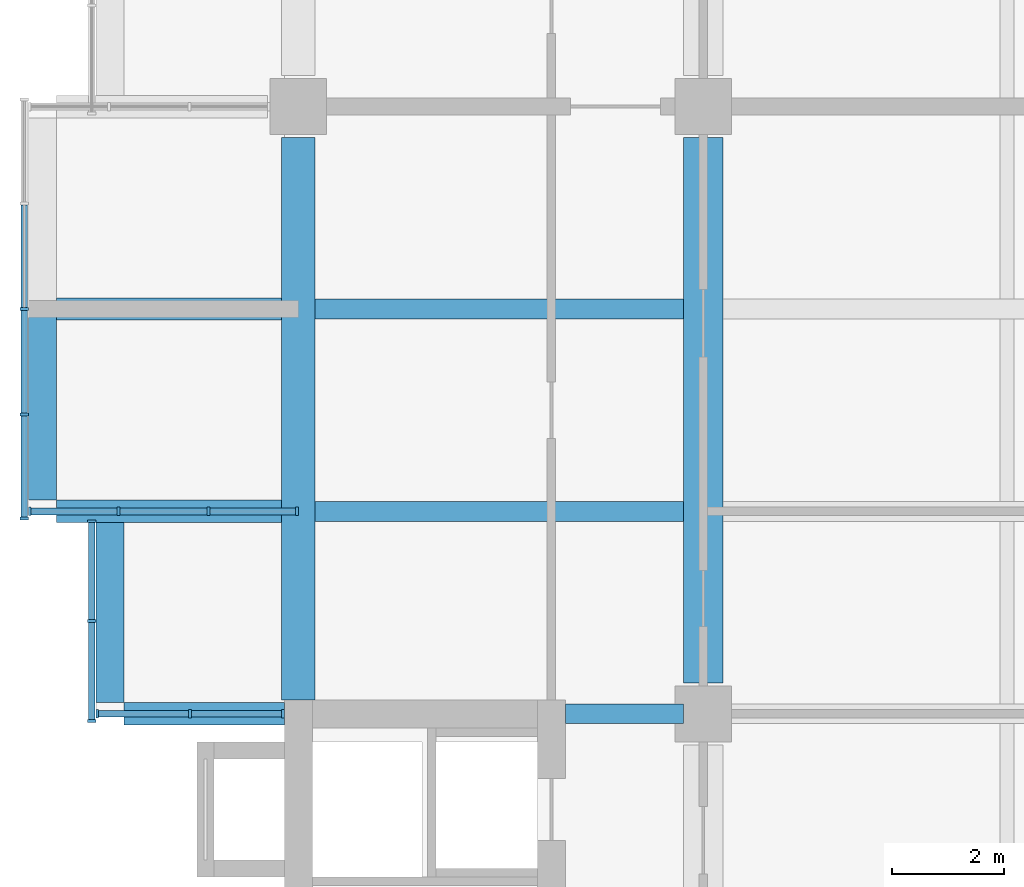
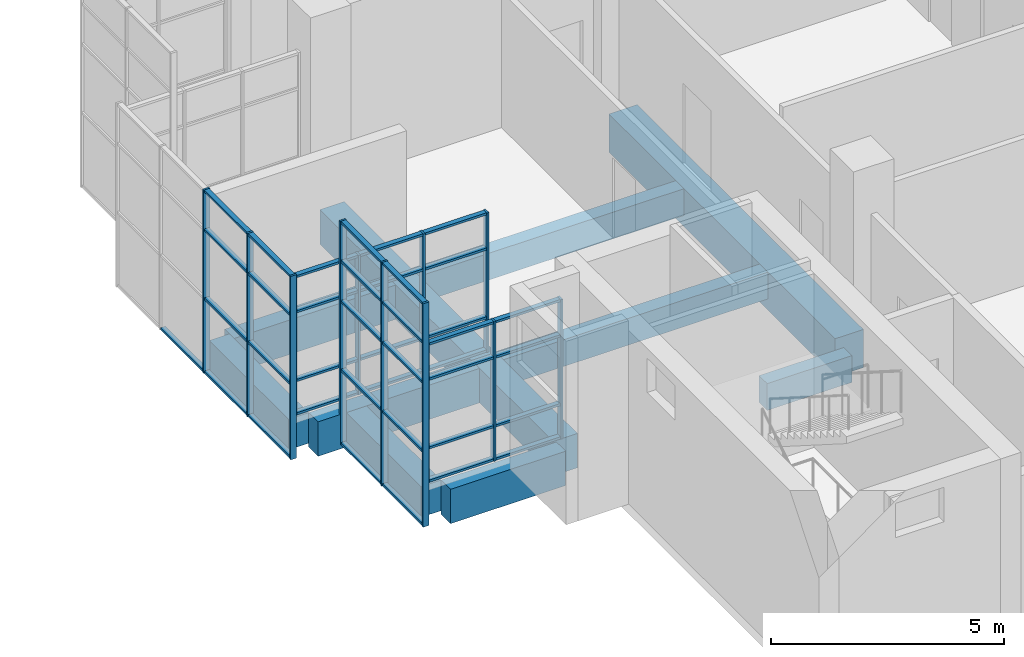
# One storey, part 3 of 45: 52 members, 10 beams, 4 elements without a shape of their own.
"""IFC4 building model written with IfcOpenShell, lengths in metres."""

from ifc_helpers import new_model, si_unit, direction, frame, origin, origin_2d, place, context, subcontext, project, spatial, rectangle, extrude, material, layer, layer_set, material_profile, profile_set, type_object, element, aggregate, save


model = new_model("IFC4")

# Units and contexts
model_context = context("Model", 3, precision=1e-05, world=origin(), true_north=direction((0.0, 1.0)))
body_context = subcontext(model_context, "Body", "Model", "MODEL_VIEW")
ifc_project = project(units=[si_unit("LENGTHUNIT", "METRE"), si_unit("AREAUNIT", "SQUARE_METRE"), si_unit("VOLUMEUNIT", "CUBIC_METRE"), si_unit("PLANEANGLEUNIT", "RADIAN"), si_unit("MASSUNIT", "GRAM", prefix="KILO")], contexts=[model_context])

# Site, building, storey
site_placement = place(None, origin())
site = spatial("IfcSite", under=ifc_project, at=site_placement, CompositionType="ELEMENT")
building_placement = place(site_placement, origin())
building = spatial("IfcBuilding", under=site, at=building_placement, Name="Basin Gate Institute", CompositionType="ELEMENT")
storey_placement = place(building_placement, frame((0.0, 0.0, 22.199951171875)))
storey = spatial("IfcBuildingStorey", under=building, at=storey_placement, Name="L04", CompositionType="ELEMENT", Elevation=22.199951171875)

# Beams
ifc_material_1 = material(Name="Concrete 40 MPa", Category="concrete")
ifc_material_profile_1 = material_profile(ifc_material_1, rectangle(XDim=0.35009765625, YDim=0.699951171875, at=origin_2d()), Name="Beam B1 350 x 700")
ifc_profile_set_1 = profile_set([ifc_material_profile_1], Name="Concrete 40 MPa")
beam_type_1 = type_object("IfcBeamType", Name="Beam B1 R120", PredefinedType="BEAM", material=ifc_profile_set_1)
beam_1_placement = place(storey_placement, frame((65.949951171875, 45.89990234375, -0.599853515625), z_axis=(1.0, 0.0, 0.0), x_axis=(0.0, 1.0, 0.0)))
element("IfcBeam", 1, at=beam_1_placement, inside=storey, type_object=beam_type_1, material=ifc_profile_set_1, Name="BEAM/L04/W/CORR/04", PredefinedType="BEAM", context=body_context, shape_type="SweptSolid", body=[
    extrude(rectangle(XDim=0.35009765625, YDim=0.699951171875, at=origin_2d()), origin(), (0.0, 0.0, 1.0), 2.10009765625),
])
for number, where, z_axis, x_axis, name in (
    (2, (61.5, 49.5, -0.599853515625), (1.0, 0.0, 0.0), (0.0, 1.0, 0.0), "BEAM/L04/W/OUT/05"),
    (3, (61.5, 53.10009765625, -0.599853515625), (1.0, 0.0, 0.0), (0.0, 1.0, 0.0), "BEAM/L04/W/OUT/06"),
):
    element("IfcBeam", number, at=place(storey_placement, frame(where, z_axis=z_axis, x_axis=x_axis)), inside=storey, type_object=beam_type_1, material=ifc_profile_set_1, Name=name, PredefinedType="BEAM", context=body_context, shape_type="SweptSolid", body=[
        extrude(rectangle(XDim=0.35009765625, YDim=0.699951171875, at=origin_2d()), origin(), (0.0, 0.0, 1.0), 6.550048828125),
    ])
ifc_material_2 = material(Name="Concrete 50 MPa", Category="concrete")
ifc_material_profile_2 = material_profile(ifc_material_2, rectangle(XDim=0.39990234375, YDim=0.89990234375, at=origin_2d()), Name="Cantilever beam B3 400 x 900")
ifc_profile_set_2 = profile_set([ifc_material_profile_2], Name="Concrete 50 MPa")
beam_type_2 = type_object("IfcBeamType", Name="Cantilever beam B3 R120", PredefinedType="BEAM", material=ifc_profile_set_2)
beam_2_placement = place(storey_placement, frame((58.10009765625, 45.89990234375, -0.699951171875), z_axis=(1.0, 0.0, 0.0), x_axis=(0.0, 1.0, 0.0)))
element("IfcBeam", 4, at=beam_2_placement, inside=storey, type_object=beam_type_2, material=ifc_profile_set_2, Name="BEAM/L04/W/CANT/04", PredefinedType="BEAM", context=body_context, shape_type="SweptSolid", body=[
    extrude(rectangle(XDim=0.39990234375, YDim=0.89990234375, at=origin_2d()), origin(), (0.0, 0.0, 1.0), 2.849853515625),
])
for number, where, z_axis, x_axis, name in (
    (5, (56.89990234375, 49.5, -0.699951171875), (1.0, 0.0, 0.0), (0.0, 1.0, 0.0), "BEAM/L04/W/CANT/05"),
    (6, (56.89990234375, 53.10009765625, -0.699951171875), (1.0, 0.0, 0.0), (0.0, 1.0, 0.0), "BEAM/L04/W/CANT/06"),
):
    element("IfcBeam", number, at=place(storey_placement, frame(where, z_axis=z_axis, x_axis=x_axis)), inside=storey, type_object=beam_type_2, material=ifc_profile_set_2, Name=name, PredefinedType="BEAM", context=body_context, shape_type="SweptSolid", body=[
        extrude(rectangle(XDim=0.39990234375, YDim=0.89990234375, at=origin_2d()), origin(), (0.0, 0.0, 1.0), 4.0),
    ])
ifc_material_3 = material(Name="Concrete 50 MPa", Category="concrete")
ifc_material_profile_3 = material_profile(ifc_material_3, rectangle(XDim=0.60009765625, YDim=0.89990234375, at=origin_2d()), Name="Edge beam EB1 600 x 900")
ifc_profile_set_3 = profile_set([ifc_material_profile_3], Name="Concrete 50 MPa")
beam_type_3 = type_object("IfcBeamType", Name="Edge beam EB1 R120", PredefinedType="SPANDREL", material=ifc_profile_set_3)
beam_3_placement = place(storey_placement, frame((61.199951171875, 46.14990234375, -0.699951171875), z_axis=(0.0, 1.0, 0.0), x_axis=(-1.0, 0.0, 0.0)))
element("IfcBeam", 7, at=beam_3_placement, inside=storey, type_object=beam_type_3, material=ifc_profile_set_3, Name="BEAM/L04/W/EDGE/1", PredefinedType="SPANDREL", context=body_context, shape_type="SweptSolid", body=[
    extrude(rectangle(XDim=0.60009765625, YDim=0.89990234375, at=origin_2d()), origin(), (0.0, 0.0, 1.0), 10.0),
])
ifc_material_4 = material(Name="Concrete 50 MPa", Category="concrete")
ifc_material_profile_4 = material_profile(ifc_material_4, rectangle(XDim=0.699951171875, YDim=1.0, at=origin_2d()), Name="Girder G1 700 x 1000")
ifc_profile_set_4 = profile_set([ifc_material_profile_4], Name="Concrete 50 MPa")
beam_type_4 = type_object("IfcBeamType", Name="Girder G1 R120", PredefinedType="BEAM", material=ifc_profile_set_4)
beam_4_placement = place(storey_placement, frame((68.39990234375, 46.449951171875, -0.75), z_axis=(0.0, 1.0, 0.0), x_axis=(-1.0, 0.0, 0.0)))
element("IfcBeam", 8, at=beam_4_placement, inside=storey, type_object=beam_type_4, material=ifc_profile_set_4, Name="GIR/L04/W5/2", PredefinedType="BEAM", context=body_context, shape_type="SweptSolid", body=[
    extrude(rectangle(XDim=0.699951171875, YDim=1.0, at=origin_2d()), origin(), (0.0, 0.0, 1.0), 9.699951171875),
])

# Curtain wall, members
ifc_material_5 = material(Name="Aluminium-framed glazing", Category="aluminium")
ifc_layer = layer(ifc_material_5, 0.14990234375)
ifc_layer_set = layer_set([ifc_layer], Name="Capsule front curtain wall CW1")
curtain_wall_type = type_object("IfcCurtainWallType", Name="Capsule front curtain wall CW1", PredefinedType="NOTDEFINED", material=ifc_layer_set)
curtain_wall_1_placement = place(storey_placement, origin())
curtain_wall_1 = element("IfcCurtainWall", 9, at=curtain_wall_1_placement, inside=storey, type_object=curtain_wall_type, material=ifc_layer_set, Name="Capsule front curtain wall W wing capsule end L04 line 4", PredefinedType="NOTDEFINED")
ifc_material_6 = material(Name="Aluminium", Category="aluminium")
ifc_material_profile_5 = material_profile(ifc_material_6, rectangle(XDim=0.14990234375, YDim=0.050048828125, at=origin_2d()), Name="Mullion MU1 150 x 50")
ifc_profile_set_5 = profile_set([ifc_material_profile_5], Name="Aluminium")
member_type_1 = type_object("IfcMemberType", Name="Mullion MU1", PredefinedType="MULLION", material=ifc_profile_set_5)
member_1_placement = place(storey_placement, frame((57.625, 45.89990234375, 0.0), z_axis=(0.0, 0.0, 1.0), x_axis=(0.0, 1.0, 0.0)))
member_1 = element("IfcMember", 10, at=member_1_placement, type_object=member_type_1, material=ifc_profile_set_5, Name="CW1 mullion 1", PredefinedType="MULLION", context=body_context, shape_type="SweptSolid", body=[
    extrude(rectangle(XDim=0.14990234375, YDim=0.050048828125, at=origin_2d()), origin(), (0.0, 0.0, 1.0), 3.650146484375),
])
member_2_placement = place(storey_placement, frame((59.27490234375, 45.89990234375, 0.0), z_axis=(0.0, 0.0, 1.0), x_axis=(0.0, 1.0, 0.0)))
member_2 = element("IfcMember", 11, at=member_2_placement, type_object=member_type_1, material=ifc_profile_set_5, Name="CW1 mullion 2", PredefinedType="MULLION", context=body_context, shape_type="SweptSolid", body=[
    extrude(rectangle(XDim=0.14990234375, YDim=0.050048828125, at=origin_2d()), origin(), (0.0, 0.0, 1.0), 3.650146484375),
])
member_3_placement = place(storey_placement, frame((60.925048828125, 45.89990234375, 0.0), z_axis=(0.0, 0.0, 1.0), x_axis=(0.0, 1.0, 0.0)))
member_3 = element("IfcMember", 12, at=member_3_placement, type_object=member_type_1, material=ifc_profile_set_5, Name="CW1 mullion 3", PredefinedType="MULLION", context=body_context, shape_type="SweptSolid", body=[
    extrude(rectangle(XDim=0.14990234375, YDim=0.050048828125, at=origin_2d()), origin(), (0.0, 0.0, 1.0), 3.650146484375),
])

curtain_wall_2_placement = place(storey_placement, origin())
curtain_wall_2 = element("IfcCurtainWall", 13, at=curtain_wall_2_placement, inside=storey, type_object=curtain_wall_type, material=ifc_layer_set, Name="Capsule front curtain wall W wing capsule end L04 line 5", PredefinedType="NOTDEFINED")
member_4_placement = place(storey_placement, frame((56.425048828125, 49.5, 0.0), z_axis=(0.0, 0.0, 1.0), x_axis=(0.0, 1.0, 0.0)))
member_4 = element("IfcMember", 14, at=member_4_placement, type_object=member_type_1, material=ifc_profile_set_5, Name="CW1 mullion 1", PredefinedType="MULLION", context=body_context, shape_type="SweptSolid", body=[
    extrude(rectangle(XDim=0.14990234375, YDim=0.050048828125, at=origin_2d()), origin(), (0.0, 0.0, 1.0), 3.650146484375),
])
member_5_placement = place(storey_placement, frame((58.0, 49.5, 0.0), z_axis=(0.0, 0.0, 1.0), x_axis=(0.0, 1.0, 0.0)))
member_5 = element("IfcMember", 15, at=member_5_placement, type_object=member_type_1, material=ifc_profile_set_5, Name="CW1 mullion 2", PredefinedType="MULLION", context=body_context, shape_type="SweptSolid", body=[
    extrude(rectangle(XDim=0.14990234375, YDim=0.050048828125, at=origin_2d()), origin(), (0.0, 0.0, 1.0), 3.650146484375),
])
member_6_placement = place(storey_placement, frame((59.60009765625, 49.5, 0.0), z_axis=(0.0, 0.0, 1.0), x_axis=(0.0, 1.0, 0.0)))
member_6 = element("IfcMember", 16, at=member_6_placement, type_object=member_type_1, material=ifc_profile_set_5, Name="CW1 mullion 3", PredefinedType="MULLION", context=body_context, shape_type="SweptSolid", body=[
    extrude(rectangle(XDim=0.14990234375, YDim=0.050048828125, at=origin_2d()), origin(), (0.0, 0.0, 1.0), 3.650146484375),
])
member_7_placement = place(storey_placement, frame((61.175048828125, 49.5, 0.0), z_axis=(0.0, 0.0, 1.0), x_axis=(0.0, 1.0, 0.0)))
member_7 = element("IfcMember", 17, at=member_7_placement, type_object=member_type_1, material=ifc_profile_set_5, Name="CW1 mullion 4", PredefinedType="MULLION", context=body_context, shape_type="SweptSolid", body=[
    extrude(rectangle(XDim=0.14990234375, YDim=0.050048828125, at=origin_2d()), origin(), (0.0, 0.0, 1.0), 3.650146484375),
])

curtain_wall_3_placement = place(storey_placement, origin())
curtain_wall_3 = element("IfcCurtainWall", 18, at=curtain_wall_3_placement, inside=storey, type_object=curtain_wall_type, material=ifc_layer_set, Name="Capsule front curtain wall W wing capsule 1 L04 front 1", PredefinedType="NOTDEFINED")
member_8_placement = place(storey_placement, frame((57.52490234375, 45.77490234375, -1.050048828125), z_axis=(0.0, 0.0, 1.0), x_axis=(-1.0, 0.0, 0.0)))
member_8 = element("IfcMember", 19, at=member_8_placement, type_object=member_type_1, material=ifc_profile_set_5, Name="CW1 mullion 1", PredefinedType="MULLION", context=body_context, shape_type="SweptSolid", body=[
    extrude(rectangle(XDim=0.14990234375, YDim=0.050048828125, at=origin_2d()), origin(), (0.0, 0.0, 1.0), 5.85009765625),
])
member_9_placement = place(storey_placement, frame((57.52490234375, 47.550048828125, -1.050048828125), z_axis=(0.0, 0.0, 1.0), x_axis=(-1.0, 0.0, 0.0)))
member_9 = element("IfcMember", 20, at=member_9_placement, type_object=member_type_1, material=ifc_profile_set_5, Name="CW1 mullion 2", PredefinedType="MULLION", context=body_context, shape_type="SweptSolid", body=[
    extrude(rectangle(XDim=0.14990234375, YDim=0.050048828125, at=origin_2d()), origin(), (0.0, 0.0, 1.0), 5.85009765625),
])
member_10_placement = place(storey_placement, frame((57.52490234375, 49.324951171875, -1.050048828125), z_axis=(0.0, 0.0, 1.0), x_axis=(-1.0, 0.0, 0.0)))
member_10 = element("IfcMember", 21, at=member_10_placement, type_object=member_type_1, material=ifc_profile_set_5, Name="CW1 mullion 3", PredefinedType="MULLION", context=body_context, shape_type="SweptSolid", body=[
    extrude(rectangle(XDim=0.14990234375, YDim=0.050048828125, at=origin_2d()), origin(), (0.0, 0.0, 1.0), 5.85009765625),
])

curtain_wall_4_placement = place(storey_placement, origin())
curtain_wall_4 = element("IfcCurtainWall", 22, at=curtain_wall_4_placement, inside=storey, type_object=curtain_wall_type, material=ifc_layer_set, Name="Capsule front curtain wall W wing capsule 1 L04 front 2", PredefinedType="NOTDEFINED")
member_11_placement = place(storey_placement, frame((56.324951171875, 49.375, -1.050048828125), z_axis=(0.0, 0.0, 1.0), x_axis=(-1.0, 0.0, 0.0)))
member_11 = element("IfcMember", 23, at=member_11_placement, type_object=member_type_1, material=ifc_profile_set_5, Name="CW1 mullion 1", PredefinedType="MULLION", context=body_context, shape_type="SweptSolid", body=[
    extrude(rectangle(XDim=0.14990234375, YDim=0.050048828125, at=origin_2d()), origin(), (0.0, 0.0, 1.0), 4.800048828125),
])
member_12_placement = place(storey_placement, frame((56.324951171875, 51.22509765625, -1.050048828125), z_axis=(0.0, 0.0, 1.0), x_axis=(-1.0, 0.0, 0.0)))
member_12 = element("IfcMember", 24, at=member_12_placement, type_object=member_type_1, material=ifc_profile_set_5, Name="CW1 mullion 2", PredefinedType="MULLION", context=body_context, shape_type="SweptSolid", body=[
    extrude(rectangle(XDim=0.14990234375, YDim=0.050048828125, at=origin_2d()), origin(), (0.0, 0.0, 1.0), 4.800048828125),
])
member_13_placement = place(storey_placement, frame((56.324951171875, 53.10009765625, -1.050048828125), z_axis=(0.0, 0.0, 1.0), x_axis=(-1.0, 0.0, 0.0)))
member_13 = element("IfcMember", 25, at=member_13_placement, type_object=member_type_1, material=ifc_profile_set_5, Name="CW1 mullion 3", PredefinedType="MULLION", context=body_context, shape_type="SweptSolid", body=[
    extrude(rectangle(XDim=0.14990234375, YDim=0.050048828125, at=origin_2d()), origin(), (0.0, 0.0, 1.0), 4.800048828125),
])

# Beams
ifc_material_7 = material(Name="Concrete 50 MPa", Category="concrete")
ifc_material_profile_6 = material_profile(ifc_material_7, rectangle(XDim=0.5, YDim=0.800048828125, at=origin_2d()), Name="Tip beam TB1 500 x 800")
ifc_profile_set_6 = profile_set([ifc_material_profile_6], Name="Concrete 50 MPa")
beam_type_5 = type_object("IfcBeamType", Name="Tip beam TB1 R120", PredefinedType="SPANDREL", material=ifc_profile_set_6)
beam_5_placement = place(storey_placement, frame((57.85009765625, 46.10009765625, -0.64990234375), z_axis=(0.0, 1.0, 0.0), x_axis=(-1.0, 0.0, 0.0)))
element("IfcBeam", 26, at=beam_5_placement, inside=storey, type_object=beam_type_5, material=ifc_profile_set_6, Name="BEAM/L04/W/TIP/1", PredefinedType="SPANDREL", context=body_context, shape_type="SweptSolid", body=[
    extrude(rectangle(XDim=0.5, YDim=0.800048828125, at=origin_2d()), origin(), (0.0, 0.0, 1.0), 3.199951171875),
])
beam_6_placement = place(storey_placement, frame((56.64990234375, 49.699951171875, -0.64990234375), z_axis=(0.0, 1.0, 0.0), x_axis=(-1.0, 0.0, 0.0)))
element("IfcBeam", 27, at=beam_6_placement, inside=storey, type_object=beam_type_5, material=ifc_profile_set_6, Name="BEAM/L04/W/TIP/2", PredefinedType="SPANDREL", context=body_context, shape_type="SweptSolid", body=[
    extrude(rectangle(XDim=0.5, YDim=0.800048828125, at=origin_2d()), origin(), (0.0, 0.0, 1.0), 3.400146484375),
])

# Member
ifc_material_8 = material(Name="Aluminium", Category="aluminium")
ifc_material_profile_7 = material_profile(ifc_material_8, rectangle(XDim=0.1201171875, YDim=0.06005859375, at=origin_2d()), Name="Transom TR1 120 x 60")
ifc_profile_set_7 = profile_set([ifc_material_profile_7], Name="Aluminium")
member_type_2 = type_object("IfcMemberType", Name="Transom TR1", PredefinedType="USERDEFINED", material=ifc_profile_set_7)
member_14_placement = place(storey_placement, frame((57.64990234375, 45.89990234375, 0.030029296875), z_axis=(1.0, 0.0, 0.0), x_axis=(0.0, 1.0, 0.0)))
member_14 = element("IfcMember", 28, at=member_14_placement, type_object=member_type_2, material=ifc_profile_set_7, Name="CW1 transom 1.1", ObjectType="TRANSOM", PredefinedType="USERDEFINED", context=body_context, shape_type="SweptSolid", body=[
    extrude(rectangle(XDim=0.1201171875, YDim=0.06005859375, at=origin_2d()), origin(), (0.0, 0.0, 1.0), 1.60009765625),
])

member_15_placement = place(storey_placement, frame((57.64990234375, 45.89990234375, 0.900146484375), z_axis=(1.0, 0.0, 0.0), x_axis=(0.0, 1.0, 0.0)))
member_15 = element("IfcMember", 29, at=member_15_placement, type_object=member_type_2, material=ifc_profile_set_7, Name="CW1 transom 1.2", ObjectType="TRANSOM", PredefinedType="USERDEFINED", context=body_context, shape_type="SweptSolid", body=[
    extrude(rectangle(XDim=0.1201171875, YDim=0.06005859375, at=origin_2d()), origin(), (0.0, 0.0, 1.0), 1.60009765625),
])

member_16_placement = place(storey_placement, frame((57.64990234375, 45.89990234375, 2.699951171875), z_axis=(1.0, 0.0, 0.0), x_axis=(0.0, 1.0, 0.0)))
member_16 = element("IfcMember", 30, at=member_16_placement, type_object=member_type_2, material=ifc_profile_set_7, Name="CW1 transom 1.3", ObjectType="TRANSOM", PredefinedType="USERDEFINED", context=body_context, shape_type="SweptSolid", body=[
    extrude(rectangle(XDim=0.1201171875, YDim=0.06005859375, at=origin_2d()), origin(), (0.0, 0.0, 1.0), 1.60009765625),
])

member_17_placement = place(storey_placement, frame((57.64990234375, 45.89990234375, 3.6201171875), z_axis=(1.0, 0.0, 0.0), x_axis=(0.0, 1.0, 0.0)))
member_17 = element("IfcMember", 31, at=member_17_placement, type_object=member_type_2, material=ifc_profile_set_7, Name="CW1 transom 1.4", ObjectType="TRANSOM", PredefinedType="USERDEFINED", context=body_context, shape_type="SweptSolid", body=[
    extrude(rectangle(XDim=0.1201171875, YDim=0.06005859375, at=origin_2d()), origin(), (0.0, 0.0, 1.0), 1.60009765625),
])

member_18_placement = place(storey_placement, frame((59.300048828125, 45.89990234375, 0.030029296875), z_axis=(1.0, 0.0, 0.0), x_axis=(0.0, 1.0, 0.0)))
member_18 = element("IfcMember", 32, at=member_18_placement, type_object=member_type_2, material=ifc_profile_set_7, Name="CW1 transom 2.1", ObjectType="TRANSOM", PredefinedType="USERDEFINED", context=body_context, shape_type="SweptSolid", body=[
    extrude(rectangle(XDim=0.1201171875, YDim=0.06005859375, at=origin_2d()), origin(), (0.0, 0.0, 1.0), 1.599853515625),
])

member_19_placement = place(storey_placement, frame((59.300048828125, 45.89990234375, 0.900146484375), z_axis=(1.0, 0.0, 0.0), x_axis=(0.0, 1.0, 0.0)))
member_19 = element("IfcMember", 33, at=member_19_placement, type_object=member_type_2, material=ifc_profile_set_7, Name="CW1 transom 2.2", ObjectType="TRANSOM", PredefinedType="USERDEFINED", context=body_context, shape_type="SweptSolid", body=[
    extrude(rectangle(XDim=0.1201171875, YDim=0.06005859375, at=origin_2d()), origin(), (0.0, 0.0, 1.0), 1.599853515625),
])

member_20_placement = place(storey_placement, frame((59.300048828125, 45.89990234375, 2.699951171875), z_axis=(1.0, 0.0, 0.0), x_axis=(0.0, 1.0, 0.0)))
member_20 = element("IfcMember", 34, at=member_20_placement, type_object=member_type_2, material=ifc_profile_set_7, Name="CW1 transom 2.3", ObjectType="TRANSOM", PredefinedType="USERDEFINED", context=body_context, shape_type="SweptSolid", body=[
    extrude(rectangle(XDim=0.1201171875, YDim=0.06005859375, at=origin_2d()), origin(), (0.0, 0.0, 1.0), 1.599853515625),
])

member_21_placement = place(storey_placement, frame((59.300048828125, 45.89990234375, 3.6201171875), z_axis=(1.0, 0.0, 0.0), x_axis=(0.0, 1.0, 0.0)))
member_21 = element("IfcMember", 35, at=member_21_placement, type_object=member_type_2, material=ifc_profile_set_7, Name="CW1 transom 2.4", ObjectType="TRANSOM", PredefinedType="USERDEFINED", context=body_context, shape_type="SweptSolid", body=[
    extrude(rectangle(XDim=0.1201171875, YDim=0.06005859375, at=origin_2d()), origin(), (0.0, 0.0, 1.0), 1.599853515625),
])

aggregate(curtain_wall_1, [member_1, member_2, member_3, member_14, member_15, member_16, member_17, member_18, member_19, member_20, member_21])

member_22_placement = place(storey_placement, frame((56.449951171875, 49.5, 0.030029296875), z_axis=(1.0, 0.0, 0.0), x_axis=(0.0, 1.0, 0.0)))
member_22 = element("IfcMember", 36, at=member_22_placement, type_object=member_type_2, material=ifc_profile_set_7, Name="CW1 transom 1.1", ObjectType="TRANSOM", PredefinedType="USERDEFINED", context=body_context, shape_type="SweptSolid", body=[
    extrude(rectangle(XDim=0.1201171875, YDim=0.06005859375, at=origin_2d()), origin(), (0.0, 0.0, 1.0), 1.525146484375),
])

member_23_placement = place(storey_placement, frame((56.449951171875, 49.5, 0.900146484375), z_axis=(1.0, 0.0, 0.0), x_axis=(0.0, 1.0, 0.0)))
member_23 = element("IfcMember", 37, at=member_23_placement, type_object=member_type_2, material=ifc_profile_set_7, Name="CW1 transom 1.2", ObjectType="TRANSOM", PredefinedType="USERDEFINED", context=body_context, shape_type="SweptSolid", body=[
    extrude(rectangle(XDim=0.1201171875, YDim=0.06005859375, at=origin_2d()), origin(), (0.0, 0.0, 1.0), 1.525146484375),
])

member_24_placement = place(storey_placement, frame((56.449951171875, 49.5, 2.699951171875), z_axis=(1.0, 0.0, 0.0), x_axis=(0.0, 1.0, 0.0)))
member_24 = element("IfcMember", 38, at=member_24_placement, type_object=member_type_2, material=ifc_profile_set_7, Name="CW1 transom 1.3", ObjectType="TRANSOM", PredefinedType="USERDEFINED", context=body_context, shape_type="SweptSolid", body=[
    extrude(rectangle(XDim=0.1201171875, YDim=0.06005859375, at=origin_2d()), origin(), (0.0, 0.0, 1.0), 1.525146484375),
])

member_25_placement = place(storey_placement, frame((56.449951171875, 49.5, 3.6201171875), z_axis=(1.0, 0.0, 0.0), x_axis=(0.0, 1.0, 0.0)))
member_25 = element("IfcMember", 39, at=member_25_placement, type_object=member_type_2, material=ifc_profile_set_7, Name="CW1 transom 1.4", ObjectType="TRANSOM", PredefinedType="USERDEFINED", context=body_context, shape_type="SweptSolid", body=[
    extrude(rectangle(XDim=0.1201171875, YDim=0.06005859375, at=origin_2d()), origin(), (0.0, 0.0, 1.0), 1.525146484375),
])

member_26_placement = place(storey_placement, frame((58.02490234375, 49.5, 0.030029296875), z_axis=(1.0, 0.0, 0.0), x_axis=(0.0, 1.0, 0.0)))
member_26 = element("IfcMember", 40, at=member_26_placement, type_object=member_type_2, material=ifc_profile_set_7, Name="CW1 transom 2.1", ObjectType="TRANSOM", PredefinedType="USERDEFINED", context=body_context, shape_type="SweptSolid", body=[
    extrude(rectangle(XDim=0.1201171875, YDim=0.06005859375, at=origin_2d()), origin(), (0.0, 0.0, 1.0), 1.550048828125),
])

member_27_placement = place(storey_placement, frame((58.02490234375, 49.5, 0.900146484375), z_axis=(1.0, 0.0, 0.0), x_axis=(0.0, 1.0, 0.0)))
member_27 = element("IfcMember", 41, at=member_27_placement, type_object=member_type_2, material=ifc_profile_set_7, Name="CW1 transom 2.2", ObjectType="TRANSOM", PredefinedType="USERDEFINED", context=body_context, shape_type="SweptSolid", body=[
    extrude(rectangle(XDim=0.1201171875, YDim=0.06005859375, at=origin_2d()), origin(), (0.0, 0.0, 1.0), 1.550048828125),
])

member_28_placement = place(storey_placement, frame((58.02490234375, 49.5, 2.699951171875), z_axis=(1.0, 0.0, 0.0), x_axis=(0.0, 1.0, 0.0)))
member_28 = element("IfcMember", 42, at=member_28_placement, type_object=member_type_2, material=ifc_profile_set_7, Name="CW1 transom 2.3", ObjectType="TRANSOM", PredefinedType="USERDEFINED", context=body_context, shape_type="SweptSolid", body=[
    extrude(rectangle(XDim=0.1201171875, YDim=0.06005859375, at=origin_2d()), origin(), (0.0, 0.0, 1.0), 1.550048828125),
])

member_29_placement = place(storey_placement, frame((58.02490234375, 49.5, 3.6201171875), z_axis=(1.0, 0.0, 0.0), x_axis=(0.0, 1.0, 0.0)))
member_29 = element("IfcMember", 43, at=member_29_placement, type_object=member_type_2, material=ifc_profile_set_7, Name="CW1 transom 2.4", ObjectType="TRANSOM", PredefinedType="USERDEFINED", context=body_context, shape_type="SweptSolid", body=[
    extrude(rectangle(XDim=0.1201171875, YDim=0.06005859375, at=origin_2d()), origin(), (0.0, 0.0, 1.0), 1.550048828125),
])

member_30_placement = place(storey_placement, frame((59.625, 49.5, 0.030029296875), z_axis=(1.0, 0.0, 0.0), x_axis=(0.0, 1.0, 0.0)))
member_30 = element("IfcMember", 44, at=member_30_placement, type_object=member_type_2, material=ifc_profile_set_7, Name="CW1 transom 3.1", ObjectType="TRANSOM", PredefinedType="USERDEFINED", context=body_context, shape_type="SweptSolid", body=[
    extrude(rectangle(XDim=0.1201171875, YDim=0.06005859375, at=origin_2d()), origin(), (0.0, 0.0, 1.0), 1.52490234375),
])

member_31_placement = place(storey_placement, frame((59.625, 49.5, 0.900146484375), z_axis=(1.0, 0.0, 0.0), x_axis=(0.0, 1.0, 0.0)))
member_31 = element("IfcMember", 45, at=member_31_placement, type_object=member_type_2, material=ifc_profile_set_7, Name="CW1 transom 3.2", ObjectType="TRANSOM", PredefinedType="USERDEFINED", context=body_context, shape_type="SweptSolid", body=[
    extrude(rectangle(XDim=0.1201171875, YDim=0.06005859375, at=origin_2d()), origin(), (0.0, 0.0, 1.0), 1.52490234375),
])

member_32_placement = place(storey_placement, frame((59.625, 49.5, 2.699951171875), z_axis=(1.0, 0.0, 0.0), x_axis=(0.0, 1.0, 0.0)))
member_32 = element("IfcMember", 46, at=member_32_placement, type_object=member_type_2, material=ifc_profile_set_7, Name="CW1 transom 3.3", ObjectType="TRANSOM", PredefinedType="USERDEFINED", context=body_context, shape_type="SweptSolid", body=[
    extrude(rectangle(XDim=0.1201171875, YDim=0.06005859375, at=origin_2d()), origin(), (0.0, 0.0, 1.0), 1.52490234375),
])

member_33_placement = place(storey_placement, frame((59.625, 49.5, 3.6201171875), z_axis=(1.0, 0.0, 0.0), x_axis=(0.0, 1.0, 0.0)))
member_33 = element("IfcMember", 47, at=member_33_placement, type_object=member_type_2, material=ifc_profile_set_7, Name="CW1 transom 3.4", ObjectType="TRANSOM", PredefinedType="USERDEFINED", context=body_context, shape_type="SweptSolid", body=[
    extrude(rectangle(XDim=0.1201171875, YDim=0.06005859375, at=origin_2d()), origin(), (0.0, 0.0, 1.0), 1.52490234375),
])

aggregate(curtain_wall_2, [member_4, member_5, member_6, member_7, member_22, member_23, member_24, member_25, member_26, member_27, member_28, member_29, member_30, member_31, member_32, member_33])

member_34_placement = place(storey_placement, frame((57.52490234375, 45.800048828125, -1.02001953125), z_axis=(0.0, 1.0, 0.0), x_axis=(-1.0, 0.0, 0.0)))
member_34 = element("IfcMember", 48, at=member_34_placement, type_object=member_type_2, material=ifc_profile_set_7, Name="CW1 transom 1.1", ObjectType="TRANSOM", PredefinedType="USERDEFINED", context=body_context, shape_type="SweptSolid", body=[
    extrude(rectangle(XDim=0.1201171875, YDim=0.06005859375, at=origin_2d()), origin(), (0.0, 0.0, 1.0), 1.724853515625),
])

member_35_placement = place(storey_placement, frame((57.52490234375, 45.800048828125, 0.900146484375), z_axis=(0.0, 1.0, 0.0), x_axis=(-1.0, 0.0, 0.0)))
member_35 = element("IfcMember", 49, at=member_35_placement, type_object=member_type_2, material=ifc_profile_set_7, Name="CW1 transom 1.2", ObjectType="TRANSOM", PredefinedType="USERDEFINED", context=body_context, shape_type="SweptSolid", body=[
    extrude(rectangle(XDim=0.1201171875, YDim=0.06005859375, at=origin_2d()), origin(), (0.0, 0.0, 1.0), 1.724853515625),
])

member_36_placement = place(storey_placement, frame((57.52490234375, 45.800048828125, 2.699951171875), z_axis=(0.0, 1.0, 0.0), x_axis=(-1.0, 0.0, 0.0)))
member_36 = element("IfcMember", 50, at=member_36_placement, type_object=member_type_2, material=ifc_profile_set_7, Name="CW1 transom 1.3", ObjectType="TRANSOM", PredefinedType="USERDEFINED", context=body_context, shape_type="SweptSolid", body=[
    extrude(rectangle(XDim=0.1201171875, YDim=0.06005859375, at=origin_2d()), origin(), (0.0, 0.0, 1.0), 1.724853515625),
])

member_37_placement = place(storey_placement, frame((57.52490234375, 45.800048828125, 3.75), z_axis=(0.0, 1.0, 0.0), x_axis=(-1.0, 0.0, 0.0)))
member_37 = element("IfcMember", 51, at=member_37_placement, type_object=member_type_2, material=ifc_profile_set_7, Name="CW1 transom 1.4", ObjectType="TRANSOM", PredefinedType="USERDEFINED", context=body_context, shape_type="SweptSolid", body=[
    extrude(rectangle(XDim=0.1201171875, YDim=0.06005859375, at=origin_2d()), origin(), (0.0, 0.0, 1.0), 1.724853515625),
])

member_38_placement = place(storey_placement, frame((57.52490234375, 45.800048828125, 4.77001953125), z_axis=(0.0, 1.0, 0.0), x_axis=(-1.0, 0.0, 0.0)))
member_38 = element("IfcMember", 52, at=member_38_placement, type_object=member_type_2, material=ifc_profile_set_7, Name="CW1 transom 1.5", ObjectType="TRANSOM", PredefinedType="USERDEFINED", context=body_context, shape_type="SweptSolid", body=[
    extrude(rectangle(XDim=0.1201171875, YDim=0.06005859375, at=origin_2d()), origin(), (0.0, 0.0, 1.0), 1.724853515625),
])

member_39_placement = place(storey_placement, frame((57.52490234375, 47.574951171875, -1.02001953125), z_axis=(0.0, 1.0, 0.0), x_axis=(-1.0, 0.0, 0.0)))
member_39 = element("IfcMember", 53, at=member_39_placement, type_object=member_type_2, material=ifc_profile_set_7, Name="CW1 transom 2.1", ObjectType="TRANSOM", PredefinedType="USERDEFINED", context=body_context, shape_type="SweptSolid", body=[
    extrude(rectangle(XDim=0.1201171875, YDim=0.06005859375, at=origin_2d()), origin(), (0.0, 0.0, 1.0), 1.72509765625),
])

member_40_placement = place(storey_placement, frame((57.52490234375, 47.574951171875, 0.900146484375), z_axis=(0.0, 1.0, 0.0), x_axis=(-1.0, 0.0, 0.0)))
member_40 = element("IfcMember", 54, at=member_40_placement, type_object=member_type_2, material=ifc_profile_set_7, Name="CW1 transom 2.2", ObjectType="TRANSOM", PredefinedType="USERDEFINED", context=body_context, shape_type="SweptSolid", body=[
    extrude(rectangle(XDim=0.1201171875, YDim=0.06005859375, at=origin_2d()), origin(), (0.0, 0.0, 1.0), 1.72509765625),
])

member_41_placement = place(storey_placement, frame((57.52490234375, 47.574951171875, 2.699951171875), z_axis=(0.0, 1.0, 0.0), x_axis=(-1.0, 0.0, 0.0)))
member_41 = element("IfcMember", 55, at=member_41_placement, type_object=member_type_2, material=ifc_profile_set_7, Name="CW1 transom 2.3", ObjectType="TRANSOM", PredefinedType="USERDEFINED", context=body_context, shape_type="SweptSolid", body=[
    extrude(rectangle(XDim=0.1201171875, YDim=0.06005859375, at=origin_2d()), origin(), (0.0, 0.0, 1.0), 1.72509765625),
])

member_42_placement = place(storey_placement, frame((57.52490234375, 47.574951171875, 3.75), z_axis=(0.0, 1.0, 0.0), x_axis=(-1.0, 0.0, 0.0)))
member_42 = element("IfcMember", 56, at=member_42_placement, type_object=member_type_2, material=ifc_profile_set_7, Name="CW1 transom 2.4", ObjectType="TRANSOM", PredefinedType="USERDEFINED", context=body_context, shape_type="SweptSolid", body=[
    extrude(rectangle(XDim=0.1201171875, YDim=0.06005859375, at=origin_2d()), origin(), (0.0, 0.0, 1.0), 1.72509765625),
])

member_43_placement = place(storey_placement, frame((57.52490234375, 47.574951171875, 4.77001953125), z_axis=(0.0, 1.0, 0.0), x_axis=(-1.0, 0.0, 0.0)))
member_43 = element("IfcMember", 57, at=member_43_placement, type_object=member_type_2, material=ifc_profile_set_7, Name="CW1 transom 2.5", ObjectType="TRANSOM", PredefinedType="USERDEFINED", context=body_context, shape_type="SweptSolid", body=[
    extrude(rectangle(XDim=0.1201171875, YDim=0.06005859375, at=origin_2d()), origin(), (0.0, 0.0, 1.0), 1.72509765625),
])

aggregate(curtain_wall_3, [member_8, member_9, member_10, member_34, member_35, member_36, member_37, member_38, member_39, member_40, member_41, member_42, member_43])

member_44_placement = place(storey_placement, frame((56.324951171875, 49.39990234375, -1.02001953125), z_axis=(0.0, 1.0, 0.0), x_axis=(-1.0, 0.0, 0.0)))
member_44 = element("IfcMember", 58, at=member_44_placement, type_object=member_type_2, material=ifc_profile_set_7, Name="CW1 transom 1.1", ObjectType="TRANSOM", PredefinedType="USERDEFINED", context=body_context, shape_type="SweptSolid", body=[
    extrude(rectangle(XDim=0.1201171875, YDim=0.06005859375, at=origin_2d()), origin(), (0.0, 0.0, 1.0), 1.800048828125),
])

member_45_placement = place(storey_placement, frame((56.324951171875, 49.39990234375, 0.900146484375), z_axis=(0.0, 1.0, 0.0), x_axis=(-1.0, 0.0, 0.0)))
member_45 = element("IfcMember", 59, at=member_45_placement, type_object=member_type_2, material=ifc_profile_set_7, Name="CW1 transom 1.2", ObjectType="TRANSOM", PredefinedType="USERDEFINED", context=body_context, shape_type="SweptSolid", body=[
    extrude(rectangle(XDim=0.1201171875, YDim=0.06005859375, at=origin_2d()), origin(), (0.0, 0.0, 1.0), 1.800048828125),
])

member_46_placement = place(storey_placement, frame((56.324951171875, 49.39990234375, 2.699951171875), z_axis=(0.0, 1.0, 0.0), x_axis=(-1.0, 0.0, 0.0)))
member_46 = element("IfcMember", 60, at=member_46_placement, type_object=member_type_2, material=ifc_profile_set_7, Name="CW1 transom 1.3", ObjectType="TRANSOM", PredefinedType="USERDEFINED", context=body_context, shape_type="SweptSolid", body=[
    extrude(rectangle(XDim=0.1201171875, YDim=0.06005859375, at=origin_2d()), origin(), (0.0, 0.0, 1.0), 1.800048828125),
])

member_47_placement = place(storey_placement, frame((56.324951171875, 49.39990234375, 3.719970703125), z_axis=(0.0, 1.0, 0.0), x_axis=(-1.0, 0.0, 0.0)))
member_47 = element("IfcMember", 61, at=member_47_placement, type_object=member_type_2, material=ifc_profile_set_7, Name="CW1 transom 1.4", ObjectType="TRANSOM", PredefinedType="USERDEFINED", context=body_context, shape_type="SweptSolid", body=[
    extrude(rectangle(XDim=0.1201171875, YDim=0.06005859375, at=origin_2d()), origin(), (0.0, 0.0, 1.0), 1.800048828125),
])

member_48_placement = place(storey_placement, frame((56.324951171875, 51.25, -1.02001953125), z_axis=(0.0, 1.0, 0.0), x_axis=(-1.0, 0.0, 0.0)))
member_48 = element("IfcMember", 62, at=member_48_placement, type_object=member_type_2, material=ifc_profile_set_7, Name="CW1 transom 2.1", ObjectType="TRANSOM", PredefinedType="USERDEFINED", context=body_context, shape_type="SweptSolid", body=[
    extrude(rectangle(XDim=0.1201171875, YDim=0.06005859375, at=origin_2d()), origin(), (0.0, 0.0, 1.0), 1.824951171875),
])

member_49_placement = place(storey_placement, frame((56.324951171875, 51.25, 0.900146484375), z_axis=(0.0, 1.0, 0.0), x_axis=(-1.0, 0.0, 0.0)))
member_49 = element("IfcMember", 63, at=member_49_placement, type_object=member_type_2, material=ifc_profile_set_7, Name="CW1 transom 2.2", ObjectType="TRANSOM", PredefinedType="USERDEFINED", context=body_context, shape_type="SweptSolid", body=[
    extrude(rectangle(XDim=0.1201171875, YDim=0.06005859375, at=origin_2d()), origin(), (0.0, 0.0, 1.0), 1.824951171875),
])

member_50_placement = place(storey_placement, frame((56.324951171875, 51.25, 2.699951171875), z_axis=(0.0, 1.0, 0.0), x_axis=(-1.0, 0.0, 0.0)))
member_50 = element("IfcMember", 64, at=member_50_placement, type_object=member_type_2, material=ifc_profile_set_7, Name="CW1 transom 2.3", ObjectType="TRANSOM", PredefinedType="USERDEFINED", context=body_context, shape_type="SweptSolid", body=[
    extrude(rectangle(XDim=0.1201171875, YDim=0.06005859375, at=origin_2d()), origin(), (0.0, 0.0, 1.0), 1.824951171875),
])

member_51_placement = place(storey_placement, frame((56.324951171875, 51.25, 3.719970703125), z_axis=(0.0, 1.0, 0.0), x_axis=(-1.0, 0.0, 0.0)))
member_51 = element("IfcMember", 65, at=member_51_placement, type_object=member_type_2, material=ifc_profile_set_7, Name="CW1 transom 2.4", ObjectType="TRANSOM", PredefinedType="USERDEFINED", context=body_context, shape_type="SweptSolid", body=[
    extrude(rectangle(XDim=0.1201171875, YDim=0.06005859375, at=origin_2d()), origin(), (0.0, 0.0, 1.0), 1.824951171875),
])

member_52_placement = place(storey_placement, frame((56.324951171875, 53.125, -1.02001953125), z_axis=(0.0, 1.0, 0.0), x_axis=(-1.0, 0.0, 0.0)))
member_52 = element("IfcMember", 66, at=member_52_placement, type_object=member_type_2, material=ifc_profile_set_7, Name="CW1 transom 3.1", ObjectType="TRANSOM", PredefinedType="USERDEFINED", context=body_context, shape_type="SweptSolid", body=[
    extrude(rectangle(XDim=0.1201171875, YDim=0.06005859375, at=origin_2d()), origin(), (0.0, 0.0, 1.0), 1.824951171875),
])

aggregate(curtain_wall_4, [member_11, member_12, member_13, member_44, member_45, member_46, member_47, member_48, member_49, member_50, member_51, member_52])

save(model, "model.ifc")
